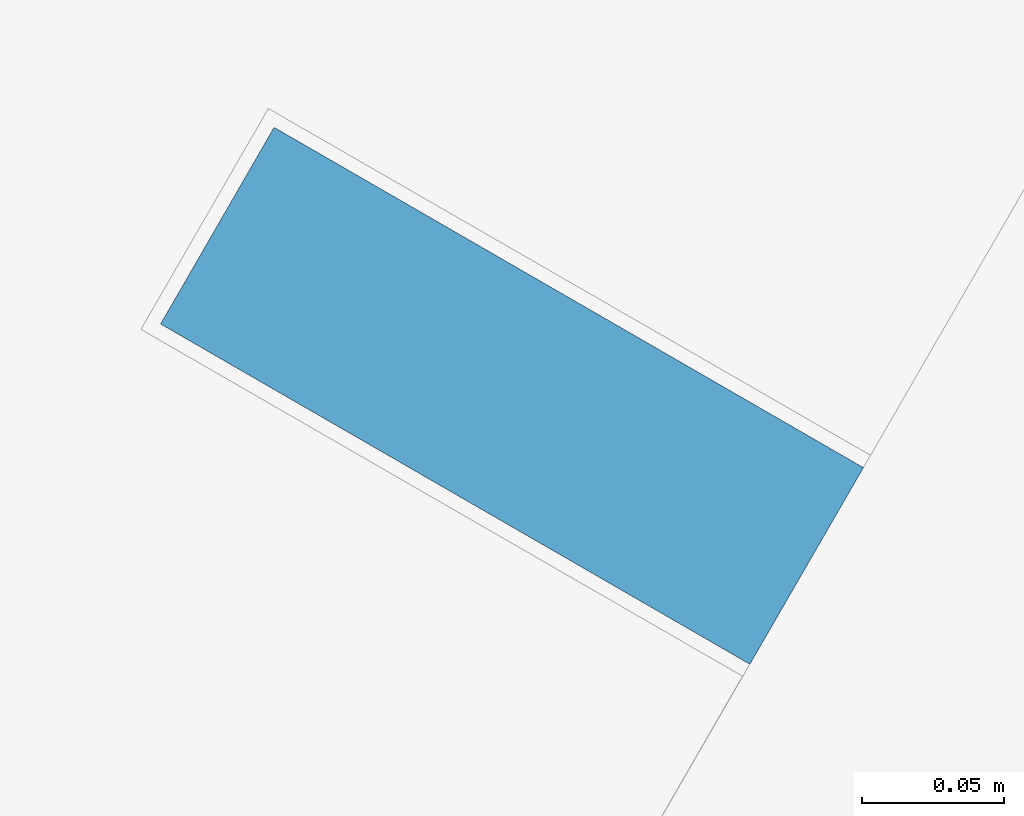
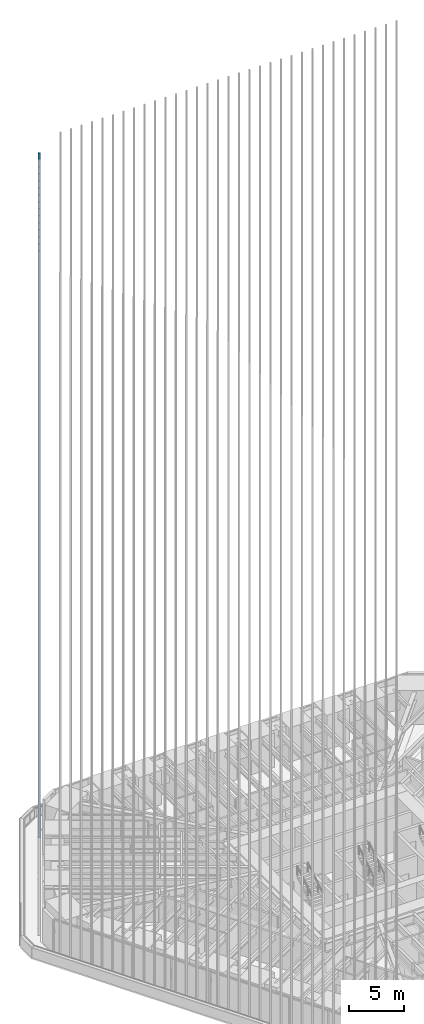
# One storey, part 147 of 238: 1 member, 1 element without a shape of its own.
"""IFC4 building model written with IfcOpenShell, lengths in metres."""

from ifc_helpers import new_model, si_unit, direction, frame, origin, origin_2d, place, context, subcontext, project, spatial, rectangle, extrude, material, material_profile, profile_set, type_object, element, aggregate, save


model = new_model("IFC4")

# Units and contexts
model_context = context("Model", 3, precision=1e-05, world=origin(), true_north=direction((0.0, 1.0)))
body_context = subcontext(model_context, "Body", "Model", "MODEL_VIEW")
ifc_project = project(units=[si_unit("LENGTHUNIT", "METRE"), si_unit("AREAUNIT", "SQUARE_METRE"), si_unit("VOLUMEUNIT", "CUBIC_METRE"), si_unit("PLANEANGLEUNIT", "RADIAN"), si_unit("MASSUNIT", "GRAM", prefix="KILO")], contexts=[model_context])

# Site, building, storey
site_placement = place(None, origin())
site = spatial("IfcSite", under=ifc_project, at=site_placement, CompositionType="ELEMENT")
building_placement = place(site_placement, origin())
building = spatial("IfcBuilding", under=site, at=building_placement, Name="Sandreach Pilgrim Tower", CompositionType="ELEMENT")
storey_placement = place(building_placement, frame((0.0, 0.0, 96.800048828125)))
storey = spatial("IfcBuildingStorey", under=building, at=storey_placement, Name="L23", CompositionType="ELEMENT", Elevation=96.800048828125)

# Curtain wall, member
ifc_material_1 = material(Name="Aluminium framed curtain wall", Category="aluminium")
curtain_wall_type = type_object("IfcCurtainWallType", Name="Hotel tower curtain wall", PredefinedType="NOTDEFINED", material=ifc_material_1)
curtain_wall_placement = place(storey_placement, origin())
curtain_wall = element("IfcCurtainWall", 1, at=curtain_wall_placement, inside=storey, type_object=curtain_wall_type, Name="CW-2 L23 NW", PredefinedType="NOTDEFINED")
ifc_material_2 = material(Name="Extruded terracotta on aluminium core", Category="masonry")
ifc_material_profile = material_profile(ifc_material_2, rectangle(XDim=0.080078125, YDim=0.239990234375, at=origin_2d()), Name="TBW 80X240")
ifc_profile_set = profile_set([ifc_material_profile], Name="Extruded terracotta on aluminium core")
member_type = type_object("IfcMemberType", Name="Terracotta baguette west", PredefinedType="USERDEFINED", material=ifc_profile_set)
member_placement = place(storey_placement, frame((-20.9052734375, 21.015380859375, 0.0), z_axis=(0.0, 0.0, 1.0), x_axis=(0.5, 0.866025403784, 0.0)))
member = element("IfcMember", 2, at=member_placement, type_object=member_type, Name="Baguette Z2 NW15", ObjectType="BAGUETTE", PredefinedType="USERDEFINED", context=body_context, shape_type="SweptSolid", body=[
    extrude(rectangle(XDim=0.080078125, YDim=0.239990234375, at=origin_2d()), origin(), (0.0, 0.0, 1.0), 75.83984375),
])
aggregate(curtain_wall, [member])

save(model, "model.ifc")
